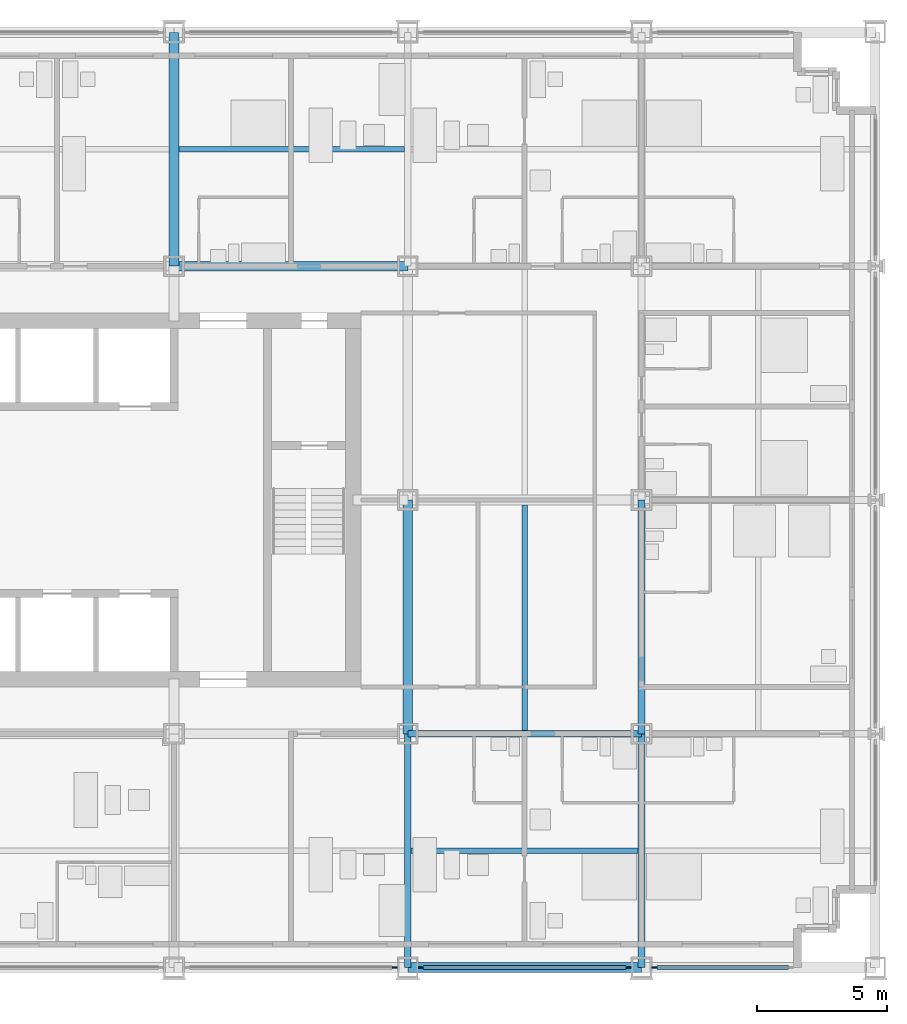
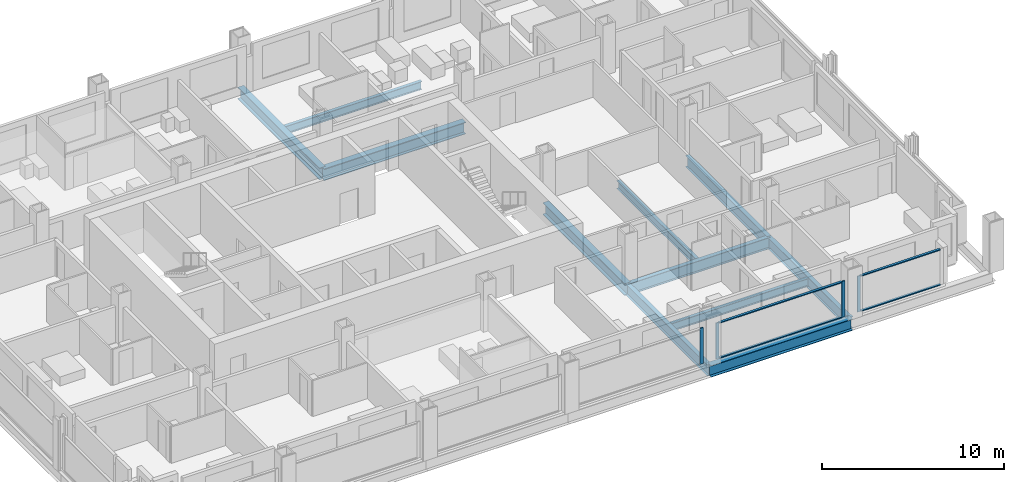
# One storey, part 5 of 18: 11 beams, 8 members, 3 elements without a shape of their own.
"""IFC4 building model written with IfcOpenShell, lengths in metres."""

from ifc_helpers import new_model, si_unit, direction, frame, origin, origin_2d, place, context, subcontext, project, spatial, rectangle, i_section, extrude, material, material_profile, profile_set, type_object, element, aggregate, save


model = new_model("IFC4")

# Units and contexts
model_context = context("Model", 3, precision=1e-05, world=origin(), true_north=direction((0.0, 1.0)))
body_context = subcontext(model_context, "Body", "Model", "MODEL_VIEW")
ifc_project = project(units=[si_unit("LENGTHUNIT", "METRE"), si_unit("AREAUNIT", "SQUARE_METRE"), si_unit("VOLUMEUNIT", "CUBIC_METRE"), si_unit("PLANEANGLEUNIT", "RADIAN"), si_unit("MASSUNIT", "GRAM", prefix="KILO")], contexts=[model_context])

# Site, building, storey
site_placement = place(None, origin())
site = spatial("IfcSite", under=ifc_project, at=site_placement, CompositionType="ELEMENT")
building_placement = place(site_placement, origin())
building = spatial("IfcBuilding", under=site, at=building_placement, Name="Loomwork Tower", CompositionType="ELEMENT")
storey_placement = place(building_placement, frame((0.0, 0.0, 72.199951171875)))
storey = spatial("IfcBuildingStorey", under=building, at=storey_placement, Name="L18", CompositionType="ELEMENT", Elevation=72.199951171875)

# Beams
ifc_material_1 = material(Name="Steel ASTM A992", Category="steel")
ifc_material_profile_1 = material_profile(ifc_material_1, i_section(OverallWidth=0.383544921875, OverallDepth=0.794921875, WebThickness=0.02099609375, FlangeThickness=0.0380859375, at=origin_2d()), Name="W30x235")
ifc_profile_set_1 = profile_set([ifc_material_profile_1], Name="Steel ASTM A992")
beam_type_1 = type_object("IfcBeamType", Name="CORE FLANK GIRDER W30x235", PredefinedType="BEAM", material=ifc_profile_set_1)
for number, where, z_axis, x_axis, name in (
    (1, (27.0, 27.0, -0.597412109375), (1.0, 0.0, 0.0), (0.0, 1.0, 0.0), "Core Flank Girder G/5-G/6 L18"),
    (2, (27.0, 27.0, -0.597412109375), (0.0, 1.0, 0.0), (-1.0, 0.0, 0.0), "Core Flank Girder G/5-H/5 L18"),
    (3, (36.0, 9.0, -0.597412109375), (0.0, 1.0, 0.0), (-1.0, 0.0, 0.0), "Core Flank Girder E/6-F/6 L18"),
):
    element("IfcBeam", number, at=place(storey_placement, frame(where, z_axis=z_axis, x_axis=x_axis)), inside=storey, type_object=beam_type_1, Name=name, PredefinedType="BEAM", context=body_context, shape_type="SweptSolid", body=[
        extrude(i_section(OverallWidth=0.383544921875, OverallDepth=0.794921875, WebThickness=0.02099609375, FlangeThickness=0.0380859375, at=origin_2d()), origin(), (0.0, 0.0, 1.0), 9.0),
    ])
ifc_material_2 = material(Name="Steel ASTM A992", Category="steel")
ifc_material_profile_2 = material_profile(ifc_material_2, i_section(OverallWidth=0.2666015625, OverallDepth=0.761962890625, WebThickness=0.014404296875, FlangeThickness=0.021484375, at=origin_2d()), Name="W30x116")
ifc_profile_set_2 = profile_set([ifc_material_profile_2], Name="Steel ASTM A992")
beam_type_2 = type_object("IfcBeamType", Name="FLOOR GIRDER W30x116", PredefinedType="BEAM", material=ifc_profile_set_2)
for number, where, z_axis, x_axis, name in (
    (4, (36.0, 9.0, -0.5810546875), (1.0, 0.0, 0.0), (0.0, 1.0, 0.0), "Floor Girder E/6-E/7 L18"),
    (5, (36.0, 0.0, -0.5810546875), (0.0, 1.0, 0.0), (-1.0, 0.0, 0.0), "Floor Girder D/6-E/6 L18"),
    (6, (45.0, 0.0, -0.5810546875), (0.0, 1.0, 0.0), (-1.0, 0.0, 0.0), "Floor Girder D/7-E/7 L18"),
    (7, (45.0, 9.0, -0.5810546875), (0.0, 1.0, 0.0), (-1.0, 0.0, 0.0), "Floor Girder E/7-F/7 L18"),
):
    element("IfcBeam", number, at=place(storey_placement, frame(where, z_axis=z_axis, x_axis=x_axis)), inside=storey, type_object=beam_type_2, Name=name, PredefinedType="BEAM", context=body_context, shape_type="SweptSolid", body=[
        extrude(i_section(OverallWidth=0.2666015625, OverallDepth=0.761962890625, WebThickness=0.014404296875, FlangeThickness=0.021484375, at=origin_2d()), origin(), (0.0, 0.0, 1.0), 9.0),
    ])
ifc_material_3 = material(Name="Steel ASTM A992", Category="steel")
ifc_material_profile_3 = material_profile(ifc_material_3, i_section(OverallWidth=0.2109375, OverallDepth=0.53857421875, WebThickness=0.011474609375, FlangeThickness=0.018798828125, at=origin_2d()), Name="W21x73")
ifc_profile_set_3 = profile_set([ifc_material_profile_3], Name="Steel ASTM A992")
beam_type_3 = type_object("IfcBeamType", Name="FLOOR JOIST W21x73", PredefinedType="JOIST", material=ifc_profile_set_3)
beam_1_placement = place(storey_placement, frame((27.19091796875, 31.5, -0.46923828125), z_axis=(1.0, 0.0, 0.0), x_axis=(0.0, 1.0, 0.0)))
element("IfcBeam", 8, at=beam_1_placement, inside=storey, type_object=beam_type_3, Name="Floor Joist 27.000,31.500-36.000,31.500 L18", PredefinedType="JOIST", context=body_context, shape_type="SweptSolid", body=[
    extrude(i_section(OverallWidth=0.2109375, OverallDepth=0.53857421875, WebThickness=0.011474609375, FlangeThickness=0.018798828125, at=origin_2d()), origin(), (0.0, 0.0, 1.0), 8.676025390625),
])
beam_2_placement = place(storey_placement, frame((36.133056640625, 4.5, -0.46923828125), z_axis=(1.0, 0.0, 0.0), x_axis=(0.0, 1.0, 0.0)))
element("IfcBeam", 9, at=beam_2_placement, inside=storey, type_object=beam_type_3, Name="Floor Joist 36.000,4.500-45.000,4.500 L18", PredefinedType="JOIST", context=body_context, shape_type="SweptSolid", body=[
    extrude(i_section(OverallWidth=0.2109375, OverallDepth=0.53857421875, WebThickness=0.011474609375, FlangeThickness=0.018798828125, at=origin_2d()), origin(), (0.0, 0.0, 1.0), 8.73388671875),
])
beam_3_placement = place(storey_placement, frame((40.5, 9.133056640625, -0.46923828125), z_axis=(0.0, 1.0, 0.0), x_axis=(-1.0, 0.0, 0.0)))
element("IfcBeam", 10, at=beam_3_placement, inside=storey, type_object=beam_type_3, Name="Floor Joist 40.500,9.000-40.500,18.000 L18", PredefinedType="JOIST", context=body_context, shape_type="SweptSolid", body=[
    extrude(i_section(OverallWidth=0.2109375, OverallDepth=0.53857421875, WebThickness=0.011474609375, FlangeThickness=0.018798828125, at=origin_2d()), origin(), (0.0, 0.0, 1.0), 8.676025390625),
])

# Curtain wall, member
ifc_material_4 = material(Name="Aluminium curtain wall frame", Category="aluminium")
curtain_wall_type = type_object("IfcCurtainWallType", Name="Outer skin glazing hotel", PredefinedType="NOTDEFINED", material=ifc_material_4)
curtain_wall_1_placement = place(storey_placement, origin())
curtain_wall_1 = element("IfcCurtainWall", 11, at=curtain_wall_1_placement, inside=storey, type_object=curtain_wall_type, Name="Outer skin glazing hotel cw/S-27", PredefinedType="NOTDEFINED")
ifc_material_5 = material(Name="Aluminium curtain wall frame", Category="aluminium")
ifc_material_profile_4 = material_profile(ifc_material_5, rectangle(XDim=0.06494140625, YDim=0.199951171875, at=origin_2d()), Name="AL 65x200")
ifc_profile_set_4 = profile_set([ifc_material_profile_4], Name="Aluminium curtain wall frame")
member_type_1 = type_object("IfcMemberType", Name="Outer skin glazing hotel mullion", PredefinedType="MULLION", material=ifc_profile_set_4)
member_1_placement = place(storey_placement, frame((35.5, 0.0, 0.0), z_axis=(0.0, 0.0, 1.0), x_axis=(0.0, 1.0, 0.0)))
member_1 = element("IfcMember", 12, at=member_1_placement, type_object=member_type_1, Name="CW1 mullion 2", PredefinedType="MULLION", context=body_context, shape_type="SweptSolid", body=[
    extrude(rectangle(XDim=0.06494140625, YDim=0.199951171875, at=origin_2d()), origin(), (0.0, 0.0, 1.0), 2.420166015625),
])
aggregate(curtain_wall_1, [member_1])

# Curtain wall, members
curtain_wall_2_placement = place(storey_placement, origin())
curtain_wall_2 = element("IfcCurtainWall", 13, at=curtain_wall_2_placement, inside=storey, type_object=curtain_wall_type, Name="Outer skin glazing hotel cw/S-36", PredefinedType="NOTDEFINED")
member_2_placement = place(storey_placement, frame((36.5, 0.0, 0.0), z_axis=(0.0, 0.0, 1.0), x_axis=(0.0, 1.0, 0.0)))
member_2 = element("IfcMember", 14, at=member_2_placement, type_object=member_type_1, Name="CW1 mullion 1", PredefinedType="MULLION", context=body_context, shape_type="SweptSolid", body=[
    extrude(rectangle(XDim=0.06494140625, YDim=0.199951171875, at=origin_2d()), origin(), (0.0, 0.0, 1.0), 2.420166015625),
])
member_3_placement = place(storey_placement, frame((44.5, 0.0, 0.0), z_axis=(0.0, 0.0, 1.0), x_axis=(0.0, 1.0, 0.0)))
member_3 = element("IfcMember", 15, at=member_3_placement, type_object=member_type_1, Name="CW1 mullion 2", PredefinedType="MULLION", context=body_context, shape_type="SweptSolid", body=[
    extrude(rectangle(XDim=0.06494140625, YDim=0.199951171875, at=origin_2d()), origin(), (0.0, 0.0, 1.0), 2.420166015625),
])

# Curtain wall, member
curtain_wall_3_placement = place(storey_placement, origin())
curtain_wall_3 = element("IfcCurtainWall", 16, at=curtain_wall_3_placement, inside=storey, type_object=curtain_wall_type, Name="Outer skin glazing hotel cw/S-45", PredefinedType="NOTDEFINED")
member_4_placement = place(storey_placement, frame((45.5, 0.0, 0.0), z_axis=(0.0, 0.0, 1.0), x_axis=(0.0, 1.0, 0.0)))
member_4 = element("IfcMember", 17, at=member_4_placement, type_object=member_type_1, Name="CW1 mullion 1", PredefinedType="MULLION", context=body_context, shape_type="SweptSolid", body=[
    extrude(rectangle(XDim=0.06494140625, YDim=0.199951171875, at=origin_2d()), origin(), (0.0, 0.0, 1.0), 2.420166015625),
])

# Member
ifc_material_6 = material(Name="Aluminium curtain wall frame", Category="aluminium")
ifc_material_profile_5 = material_profile(ifc_material_6, rectangle(XDim=0.14990234375, YDim=0.06494140625, at=origin_2d()), Name="AL 65x150")
ifc_profile_set_5 = profile_set([ifc_material_profile_5], Name="Aluminium curtain wall frame")
member_type_2 = type_object("IfcMemberType", Name="Outer skin glazing hotel transom", PredefinedType="USERDEFINED", material=ifc_profile_set_5)
member_5_placement = place(storey_placement, frame((36.60009765625, 0.0, 0.032470703125), z_axis=(1.0, 0.0, 0.0), x_axis=(0.0, 1.0, 0.0)))
member_5 = element("IfcMember", 18, at=member_5_placement, type_object=member_type_2, Name="CW1 transom 1.1", ObjectType="TRANSOM", PredefinedType="USERDEFINED", context=body_context, shape_type="SweptSolid", body=[
    extrude(rectangle(XDim=0.14990234375, YDim=0.06494140625, at=origin_2d()), origin(), (0.0, 0.0, 1.0), 7.7998046875),
])

member_6_placement = place(storey_placement, frame((36.60009765625, 0.0, 2.3876953125), z_axis=(1.0, 0.0, 0.0), x_axis=(0.0, 1.0, 0.0)))
member_6 = element("IfcMember", 19, at=member_6_placement, type_object=member_type_2, Name="CW1 transom 1.2", ObjectType="TRANSOM", PredefinedType="USERDEFINED", context=body_context, shape_type="SweptSolid", body=[
    extrude(rectangle(XDim=0.14990234375, YDim=0.06494140625, at=origin_2d()), origin(), (0.0, 0.0, 1.0), 7.7998046875),
])

aggregate(curtain_wall_2, [member_2, member_3, member_5, member_6])

member_7_placement = place(storey_placement, frame((45.60009765625, 0.0, 0.032470703125), z_axis=(1.0, 0.0, 0.0), x_axis=(0.0, 1.0, 0.0)))
member_7 = element("IfcMember", 20, at=member_7_placement, type_object=member_type_2, Name="CW1 transom 1.1", ObjectType="TRANSOM", PredefinedType="USERDEFINED", context=body_context, shape_type="SweptSolid", body=[
    extrude(rectangle(XDim=0.14990234375, YDim=0.06494140625, at=origin_2d()), origin(), (0.0, 0.0, 1.0), 5.0498046875),
])

member_8_placement = place(storey_placement, frame((45.60009765625, 0.0, 2.3876953125), z_axis=(1.0, 0.0, 0.0), x_axis=(0.0, 1.0, 0.0)))
member_8 = element("IfcMember", 21, at=member_8_placement, type_object=member_type_2, Name="CW1 transom 1.2", ObjectType="TRANSOM", PredefinedType="USERDEFINED", context=body_context, shape_type="SweptSolid", body=[
    extrude(rectangle(XDim=0.14990234375, YDim=0.06494140625, at=origin_2d()), origin(), (0.0, 0.0, 1.0), 5.0498046875),
])

aggregate(curtain_wall_3, [member_4, member_7, member_8])

# Beam
ifc_material_7 = material(Name="Steel ASTM A992", Category="steel")
ifc_material_profile_6 = material_profile(ifc_material_7, i_section(OverallWidth=0.381103515625, OverallDepth=0.77978515625, WebThickness=0.01806640625, FlangeThickness=0.0302734375, at=origin_2d()), Name="W30x191")
ifc_profile_set_6 = profile_set([ifc_material_profile_6], Name="Steel ASTM A992")
beam_type_4 = type_object("IfcBeamType", Name="SPANDREL GIRDER W30x191", PredefinedType="SPANDREL", material=ifc_profile_set_6)
beam_4_placement = place(storey_placement, frame((36.0, 0.0, -0.58984375), z_axis=(1.0, 0.0, 0.0), x_axis=(0.0, 1.0, 0.0)))
element("IfcBeam", 22, at=beam_4_placement, inside=storey, type_object=beam_type_4, Name="Spandrel Girder D/6-D/7 L18", PredefinedType="SPANDREL", context=body_context, shape_type="SweptSolid", body=[
    extrude(i_section(OverallWidth=0.381103515625, OverallDepth=0.77978515625, WebThickness=0.01806640625, FlangeThickness=0.0302734375, at=origin_2d()), origin(), (0.0, 0.0, 1.0), 9.0),
])

save(model, "model.ifc")
